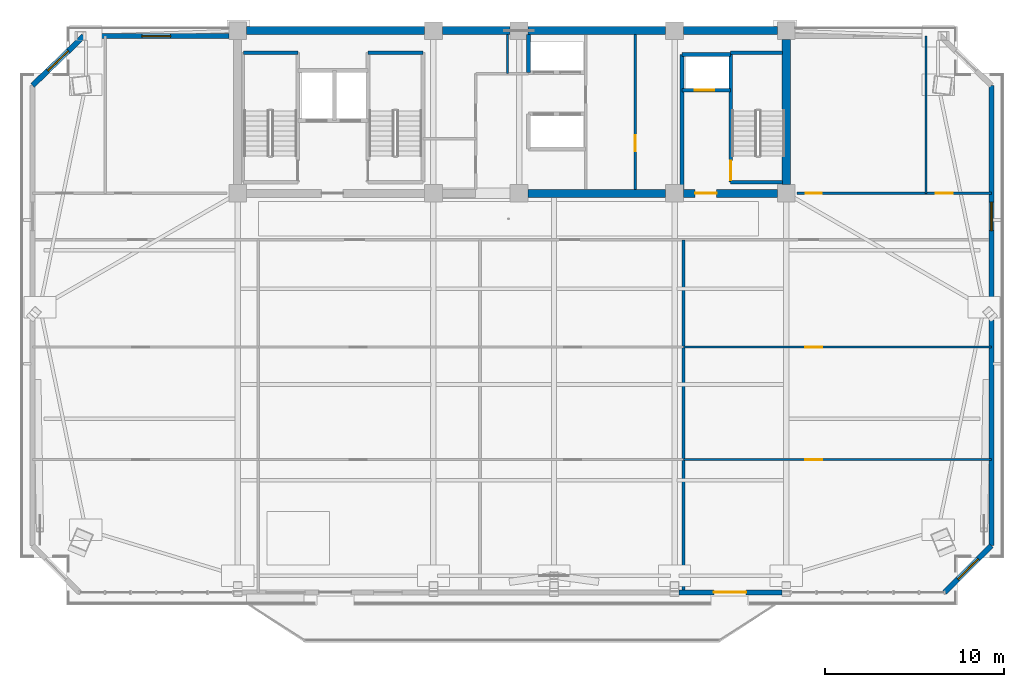
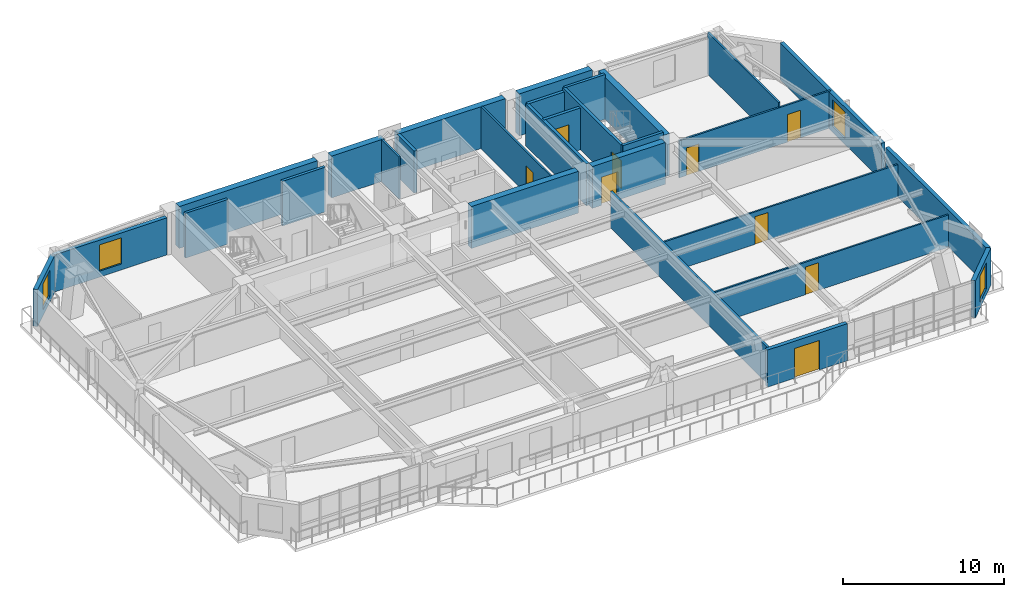
# One storey, part 10 of 16: 29 walls, 9 doors, 4 windows, 13 openings.
"""IFC4 building model written with IfcOpenShell, lengths in metres."""

from ifc_helpers import new_model, si_unit, direction, frame, frame_2d, origin, place, context, subcontext, project, spatial, rectangle, extrude, source, transform, mapped, material, layer, layer_set, type_object, element, fill, save


model = new_model("IFC4")

# Units and contexts
model_context = context("Model", 3, precision=1e-05, world=origin(), true_north=direction((0.0, 1.0)))
body_context = subcontext(model_context, "Body", "Model", "MODEL_VIEW")
ifc_project = project(units=[si_unit("LENGTHUNIT", "METRE"), si_unit("AREAUNIT", "SQUARE_METRE"), si_unit("VOLUMEUNIT", "CUBIC_METRE"), si_unit("PLANEANGLEUNIT", "RADIAN"), si_unit("MASSUNIT", "GRAM", prefix="KILO")], contexts=[model_context])

# Site, building, storey
site_placement = place(None, origin())
site = spatial("IfcSite", under=ifc_project, at=site_placement, CompositionType="ELEMENT")
building_placement = place(site_placement, origin())
building = spatial("IfcBuilding", under=site, at=building_placement, Name="Giltprow Tower", CompositionType="ELEMENT")
storey_placement = place(building_placement, frame((0.0, 0.0, 255.300048828125)))
storey = spatial("IfcBuildingStorey", under=building, at=storey_placement, Name="L65", CompositionType="ELEMENT", Elevation=255.300048828125)

# Wall, opening, window
ifc_material_1 = material(Name="Precast concrete C40", Category="concrete")
ifc_layer_1 = layer(ifc_material_1, 0.300048828125, Name="Precast concrete C40")
ifc_layer_set_1 = layer_set([ifc_layer_1], Name="Precast concrete C40")
wall_type_1 = type_object("IfcWallType", Name="EW-NOTCH-CHAMFER-300", PredefinedType="SOLIDWALL", material=ifc_layer_set_1)
wall_1_placement = place(storey_placement, frame((59.422119140625, 15.113037109375, 0.0), z_axis=(0.0, 0.0, 1.0), x_axis=(0.707106781187, 0.707106781187, 0.0)))
wall_1 = element("IfcWall", 1, at=wall_1_placement, inside=storey, type_object=wall_type_1, Name="L65 Corner Notch Wall SE", PredefinedType="SOLIDWALL", context=body_context, shape_type="SweptSolid", body=[
    extrude(rectangle(XDim=3.6982421875, YDim=0.300048828125, at=frame_2d((1.84912109375, 0.0))), origin(), (0.0, 0.0, 1.0), 2.81494140625),
])
opening_1_placement = place(wall_1_placement, frame((1.049072265625, 0.0, 0.449951171875)))
opening_1 = element("IfcOpeningElement", 2, at=opening_1_placement, cuts=wall_1, Name="Opening WN17", PredefinedType="OPENING", context=body_context, shape_type="SweptSolid", body=[
    extrude(rectangle(XDim=1.60009765625, YDim=2.0, at=frame_2d((0.800048828125, 1.0))), frame((0.0, 0.159912109375, 0.0), z_axis=(0.0, -1.0, 0.0), x_axis=(1.0, 0.0, 0.0)), (0.0, 0.0, 1.0), 0.320068359375),
])
ifc_material_2 = material(Name="Insulated glass", Category="glass")
window_type = type_object("IfcWindowType", Name="WN-COR-1600x2000", PartitioningType="SINGLE_PANEL", PredefinedType="WINDOW", material=ifc_material_2)
shared_shape_1 = source(origin(), body_context, "Body", "SweptSolid", [
    extrude(rectangle(XDim=1.60009765625, YDim=2.0, at=frame_2d((0.800048828125, 1.0))), frame((0.0, 0.030029296875, 0.0), z_axis=(0.0, -1.0, 0.0), x_axis=(1.0, 0.0, 0.0)), (0.0, 0.0, 1.0), 0.06005859375),
])
window_1_placement = place(opening_1_placement, origin())
window_1 = element("IfcWindow", 3, at=window_1_placement, inside=storey, type_object=window_type, Name="L65 Corner Notch Window SE", OverallHeight=2.0, OverallWidth=1.60009765625, PartitioningType="SINGLE_PANEL", PredefinedType="WINDOW", context=body_context, shape_type="MappedRepresentation", body=[
    mapped(shared_shape_1, transform((0.0, 0.0, 0.0), x_axis=(1.0, 0.0, 0.0), y_axis=(0.0, 1.0, 0.0), z_axis=(0.0, 0.0, 1.0), scale=1.0)),
])
fill(opening_1, window_1)

wall_2_placement = place(storey_placement, frame((11.22900390625, 46.25, 0.0), z_axis=(0.0, 0.0, 1.0), x_axis=(-0.719565206503, -0.694424879731, 0.0)))
wall_2 = element("IfcWall", 4, at=wall_2_placement, inside=storey, type_object=wall_type_1, Name="L65 Corner Notch Wall NW", PredefinedType="SOLIDWALL", context=body_context, shape_type="SweptSolid", body=[
    extrude(rectangle(XDim=3.9814453125, YDim=0.300048828125, at=frame_2d((1.99072265625, 0.0))), origin(), (0.0, 0.0, 1.0), 2.81494140625),
])
opening_2_placement = place(wall_2_placement, frame((1.19091796875, 0.0, 0.449951171875)))
opening_2 = element("IfcOpeningElement", 5, at=opening_2_placement, cuts=wall_2, Name="Opening WN17", PredefinedType="OPENING", context=body_context, shape_type="SweptSolid", body=[
    extrude(rectangle(XDim=1.60009765625, YDim=2.0, at=frame_2d((0.800048828125, 1.0))), frame((0.0, 0.159912109375, 0.0), z_axis=(0.0, -1.0, 0.0), x_axis=(1.0, 0.0, 0.0)), (0.0, 0.0, 1.0), 0.320068359375),
])
window_2_placement = place(opening_2_placement, origin())
window_2 = element("IfcWindow", 6, at=window_2_placement, inside=storey, type_object=window_type, Name="L65 Corner Notch Window NW", OverallHeight=2.0, OverallWidth=1.60009765625, PartitioningType="SINGLE_PANEL", PredefinedType="WINDOW", context=body_context, shape_type="MappedRepresentation", body=[
    mapped(shared_shape_1, transform((0.0, 0.0, 0.0), x_axis=(1.0, 0.0, 0.0), y_axis=(0.0, 1.0, 0.0), z_axis=(0.0, 0.0, 1.0), scale=1.0)),
])
fill(opening_2, window_2)

# Wall, opening, door
ifc_layer_2 = layer(ifc_material_1, 0.280029296875, Name="Precast concrete C40")
ifc_layer_set_2 = layer_set([ifc_layer_2], Name="Precast concrete C40")
wall_type_2 = type_object("IfcWallType", Name="EW-TOW-BRONZE-280", PredefinedType="SOLIDWALL", material=ifc_layer_set_2)
wall_3_placement = place(storey_placement, frame((44.550048828125, 15.113037109375, 0.0), z_axis=(0.0, 0.0, 1.0), x_axis=(1.0, 0.0, 0.0)))
wall_3 = element("IfcWall", 7, at=wall_3_placement, inside=storey, type_object=wall_type_2, Name="L65 South Expressed Frame Wall 5", PredefinedType="SOLIDWALL", context=body_context, shape_type="SweptSolid", body=[
    extrude(rectangle(XDim=5.75, YDim=0.280029296875, at=frame_2d((2.875, 0.0))), origin(), (0.0, 0.0, 1.0), 2.81494140625),
])
opening_3_placement = place(wall_3_placement, frame((1.949951171875, 0.0, 0.0)))
opening_3 = element("IfcOpeningElement", 8, at=opening_3_placement, cuts=wall_3, Name="Opening ED25", PredefinedType="OPENING", context=body_context, shape_type="SweptSolid", body=[
    extrude(rectangle(XDim=1.800048828125, YDim=2.25, at=frame_2d((0.89990234375, 1.125))), frame((0.0, 0.14990234375, 0.0), z_axis=(0.0, -1.0, 0.0), x_axis=(1.0, 0.0, 0.0)), (0.0, 0.0, 1.0), 0.300048828125),
])
ifc_material_3 = material(Name="Anodized bronze and glass", Category="glass")
door_type_1 = type_object("IfcDoorType", Name="DR-BALC-SLIDE-1800", OperationType="SLIDING_TO_LEFT", PredefinedType="DOOR", material=ifc_material_3)
shared_shape_2 = source(origin(), body_context, "Body", "SweptSolid", [
    extrude(rectangle(XDim=1.800048828125, YDim=2.25, at=frame_2d((0.89990234375, 1.125))), frame((0.0, 0.02490234375, 0.0), z_axis=(0.0, -1.0, 0.0), x_axis=(1.0, 0.0, 0.0)), (0.0, 0.0, 1.0), 0.050048828125),
])
door_1_placement = place(opening_3_placement, origin())
door_1 = element("IfcDoor", 9, at=door_1_placement, inside=storey, type_object=door_type_1, Name="L65 Waterfront Balcony Sliding Door 2", OperationType="SLIDING_TO_LEFT", OverallHeight=2.25, OverallWidth=1.800048828125, PredefinedType="DOOR", context=body_context, shape_type="MappedRepresentation", body=[
    mapped(shared_shape_2, transform((0.0, 0.0, 0.0), x_axis=(1.0, 0.0, 0.0), y_axis=(0.0, 1.0, 0.0), z_axis=(0.0, 0.0, 1.0), scale=1.0)),
])
fill(opening_3, door_1)

# Wall
wall_4_placement = place(storey_placement, frame((62.037109375, 17.72802734375, 0.0), z_axis=(0.0, 0.0, 1.0), x_axis=(0.0, 1.0, 0.0)))
element("IfcWall", 10, at=wall_4_placement, inside=storey, type_object=wall_type_2, Name="L65 E Wing Masonry Wall 1", PredefinedType="SOLIDWALL", context=body_context, shape_type="SweptSolid", body=[
    extrude(rectangle(XDim=12.62890625, YDim=0.280029296875, at=frame_2d((6.314453125, 0.0))), origin(), (0.0, 0.0, 1.0), 2.81494140625),
])

# Wall, opening, window
wall_5_placement = place(storey_placement, frame((62.037109375, 30.85693359375, 0.0), z_axis=(0.0, 0.0, 1.0), x_axis=(0.0, 1.0, 0.0)))
wall_5 = element("IfcWall", 11, at=wall_5_placement, inside=storey, type_object=wall_type_2, Name="L65 E Wing Masonry Wall 2", PredefinedType="SOLIDWALL", context=body_context, shape_type="SweptSolid", body=[
    extrude(rectangle(XDim=12.628173828125, YDim=0.280029296875, at=frame_2d((6.31396484375, 0.0))), origin(), (0.0, 0.0, 1.0), 2.81494140625),
])
opening_4_placement = place(wall_5_placement, frame((4.498046875, 0.0, 0.449951171875)))
opening_4 = element("IfcOpeningElement", 12, at=opening_4_placement, cuts=wall_5, Name="Opening WN17", PredefinedType="OPENING", context=body_context, shape_type="SweptSolid", body=[
    extrude(rectangle(XDim=1.60009765625, YDim=2.0, at=frame_2d((0.800048828125, 1.0))), frame((0.0, 0.14990234375, 0.0), z_axis=(0.0, -1.0, 0.0), x_axis=(1.0, 0.0, 0.0)), (0.0, 0.0, 1.0), 0.300048828125),
])
window_3_placement = place(opening_4_placement, origin())
window_3 = element("IfcWindow", 13, at=window_3_placement, inside=storey, type_object=window_type, Name="L65 E Wing Window 2-1", OverallHeight=2.0, OverallWidth=1.60009765625, PartitioningType="SINGLE_PANEL", PredefinedType="WINDOW", context=body_context, shape_type="MappedRepresentation", body=[
    mapped(shared_shape_1, transform((0.0, 0.0, 0.0), x_axis=(1.0, 0.0, 0.0), y_axis=(0.0, 1.0, 0.0), z_axis=(0.0, 0.0, 1.0), scale=1.0)),
])
fill(opening_4, window_3)

wall_6_placement = place(storey_placement, frame((11.22900390625, 46.25, 0.0), z_axis=(0.0, 0.0, 1.0), x_axis=(1.0, 0.0, 0.0)))
wall_6 = element("IfcWall", 14, at=wall_6_placement, inside=storey, type_object=wall_type_2, Name="L65 North-West Wing Wall", PredefinedType="SOLIDWALL", context=body_context, shape_type="SweptSolid", body=[
    extrude(rectangle(XDim=8.12109375, YDim=0.280029296875, at=frame_2d((4.060546875, 0.0))), origin(), (0.0, 0.0, 1.0), 2.81494140625),
])
opening_5_placement = place(wall_6_placement, frame((3.260986328125, 0.0, 0.449951171875)))
opening_5 = element("IfcOpeningElement", 15, at=opening_5_placement, cuts=wall_6, Name="Opening WN17", PredefinedType="OPENING", context=body_context, shape_type="SweptSolid", body=[
    extrude(rectangle(XDim=1.60009765625, YDim=2.0, at=frame_2d((0.800048828125, 1.0))), frame((0.0, 0.14990234375, 0.0), z_axis=(0.0, -1.0, 0.0), x_axis=(1.0, 0.0, 0.0)), (0.0, 0.0, 1.0), 0.300048828125),
])
window_4_placement = place(opening_5_placement, origin())
window_4 = element("IfcWindow", 16, at=window_4_placement, inside=storey, type_object=window_type, Name="L65 North-West Window", OverallHeight=2.0, OverallWidth=1.60009765625, PartitioningType="SINGLE_PANEL", PredefinedType="WINDOW", context=body_context, shape_type="MappedRepresentation", body=[
    mapped(shared_shape_1, transform((0.0, 0.0, 0.0), x_axis=(1.0, 0.0, 0.0), y_axis=(0.0, 1.0, 0.0), z_axis=(0.0, 0.0, 1.0), scale=1.0)),
])
fill(opening_5, window_4)

# Wall
ifc_material_4 = material(Name="Gypsum stud partition", Category="gypsum")
ifc_layer_3 = layer(ifc_material_4, 0.159912109375, Name="Gypsum stud partition")
ifc_layer_set_3 = layer_set([ifc_layer_3], Name="Gypsum stud partition")
wall_type_3 = type_object("IfcWallType", Name="IW-DEMISE-160", PredefinedType="PARTITIONING", material=ifc_layer_set_3)
wall_7_placement = place(storey_placement, frame((44.800048828125, 15.113037109375, 0.0), z_axis=(0.0, 0.0, 1.0), x_axis=(0.0, 1.0, 0.0)))
element("IfcWall", 17, at=wall_7_placement, inside=storey, type_object=wall_type_3, Name="L65 Apartment Party Wall 3", PredefinedType="PARTITIONING", context=body_context, shape_type="SweptSolid", body=[
    extrude(rectangle(XDim=19.737060546875, YDim=0.159912109375, at=frame_2d((9.86865234375, 0.0))), origin(), (0.0, 0.0, 1.0), 2.77001953125),
])

# Wall, opening, door
ifc_layer_4 = layer(ifc_material_4, 0.1201171875, Name="Gypsum stud partition")
ifc_layer_set_4 = layer_set([ifc_layer_4], Name="Gypsum stud partition")
wall_type_4 = type_object("IfcWallType", Name="IW-ROOM-120", PredefinedType="PARTITIONING", material=ifc_layer_set_4)
wall_8_placement = place(storey_placement, frame((44.800048828125, 22.5439453125, 0.0), z_axis=(0.0, 0.0, 1.0), x_axis=(1.0, 0.0, 0.0)))
wall_8 = element("IfcWall", 18, at=wall_8_placement, inside=storey, type_object=wall_type_4, Name="L65 Special Split 1", PredefinedType="PARTITIONING", context=body_context, shape_type="SweptSolid", body=[
    extrude(rectangle(XDim=17.237060546875, YDim=0.1201171875, at=frame_2d((8.61865234375, 0.0))), origin(), (0.0, 0.0, 1.0), 2.469970703125),
])
opening_6_placement = place(wall_8_placement, frame((6.81494140625, 0.0, 0.0)))
opening_6 = element("IfcOpeningElement", 19, at=opening_6_placement, cuts=wall_8, Name="Opening ID11", PredefinedType="OPENING", context=body_context, shape_type="SweptSolid", body=[
    extrude(rectangle(XDim=0.949951171875, YDim=2.10009765625, at=frame_2d((0.47509765625, 1.050048828125))), frame((0.0, 0.070068359375, 0.0), z_axis=(0.0, -1.0, 0.0), x_axis=(1.0, 0.0, 0.0)), (0.0, 0.0, 1.0), 0.14013671875),
])
ifc_material_5 = material(Name="Engineered timber", Category="wood")
door_type_2 = type_object("IfcDoorType", Name="DR-ROOM-950", OperationType="SINGLE_SWING_RIGHT", PredefinedType="DOOR", material=ifc_material_5)
shared_shape_3 = source(origin(), body_context, "Body", "SweptSolid", [
    extrude(rectangle(XDim=0.949951171875, YDim=2.10009765625, at=frame_2d((0.47509765625, 1.050048828125))), frame((0.0, 0.02490234375, 0.0), z_axis=(0.0, -1.0, 0.0), x_axis=(1.0, 0.0, 0.0)), (0.0, 0.0, 1.0), 0.050048828125),
])
door_2_placement = place(opening_6_placement, origin())
door_2 = element("IfcDoor", 20, at=door_2_placement, inside=storey, type_object=door_type_2, Name="L65 Artisan Bakery Shop 2 South Door", OperationType="SINGLE_SWING_RIGHT", OverallHeight=2.10009765625, OverallWidth=0.949951171875, PredefinedType="DOOR", context=body_context, shape_type="MappedRepresentation", body=[
    mapped(shared_shape_3, transform((0.0, 0.0, 0.0), x_axis=(1.0, 0.0, 0.0), y_axis=(0.0, 1.0, 0.0), z_axis=(0.0, 0.0, 1.0), scale=1.0)),
])
fill(opening_6, door_2)

wall_9_placement = place(storey_placement, frame((44.800048828125, 28.842041015625, 0.0), z_axis=(0.0, 0.0, 1.0), x_axis=(1.0, 0.0, 0.0)))
wall_9 = element("IfcWall", 21, at=wall_9_placement, inside=storey, type_object=wall_type_4, Name="L65 Special Split 2", PredefinedType="PARTITIONING", context=body_context, shape_type="SweptSolid", body=[
    extrude(rectangle(XDim=17.237060546875, YDim=0.1201171875, at=frame_2d((8.61865234375, 0.0))), origin(), (0.0, 0.0, 1.0), 2.469970703125),
])
opening_7_placement = place(wall_9_placement, frame((6.81494140625, 0.0, 0.0)))
opening_7 = element("IfcOpeningElement", 22, at=opening_7_placement, cuts=wall_9, Name="Opening ID11", PredefinedType="OPENING", context=body_context, shape_type="SweptSolid", body=[
    extrude(rectangle(XDim=0.949951171875, YDim=2.10009765625, at=frame_2d((0.47509765625, 1.050048828125))), frame((0.0, 0.070068359375, 0.0), z_axis=(0.0, -1.0, 0.0), x_axis=(1.0, 0.0, 0.0)), (0.0, 0.0, 1.0), 0.14013671875),
])
door_3_placement = place(opening_7_placement, origin())
door_3 = element("IfcDoor", 23, at=door_3_placement, inside=storey, type_object=door_type_2, Name="L65 Artisan Bakery Shop 2 Mid Door", OperationType="SINGLE_SWING_LEFT", OverallHeight=2.10009765625, OverallWidth=0.949951171875, PredefinedType="DOOR", context=body_context, shape_type="MappedRepresentation", body=[
    mapped(shared_shape_3, transform((0.0, 0.0, 0.0), x_axis=(1.0, 0.0, 0.0), y_axis=(0.0, 1.0, 0.0), z_axis=(0.0, 0.0, 1.0), scale=1.0)),
])
fill(opening_7, door_3)

ifc_material_6 = material(Name="Concrete C40", Category="concrete")
ifc_layer_5 = layer(ifc_material_6, 0.219970703125, Name="Concrete C40")
ifc_layer_set_5 = layer_set([ifc_layer_5], Name="Concrete C40")
wall_type_5 = type_object("IfcWallType", Name="IW-SHAFT-220", PredefinedType="SOLIDWALL", material=ifc_layer_set_5)
wall_10_placement = place(storey_placement, frame((44.719970703125, 43.219970703125, 0.0), z_axis=(0.0, 0.0, 1.0), x_axis=(1.0, 0.0, 0.0)))
wall_10 = element("IfcWall", 24, at=wall_10_placement, inside=storey, type_object=wall_type_5, Name="L65 FFL2 Front Shaft Wall", PredefinedType="SOLIDWALL", context=body_context, shape_type="SweptSolid", body=[
    extrude(rectangle(XDim=2.719970703125, YDim=0.219970703125, at=frame_2d((1.35986328125, 0.0))), origin(), (0.0, 0.0, 1.0), 3.18505859375),
])
opening_8_placement = place(wall_10_placement, frame((0.699951171875, 0.0, 0.0)))
opening_8 = element("IfcOpeningElement", 25, at=opening_8_placement, cuts=wall_10, Name="Opening LD-11", PredefinedType="OPENING", context=body_context, shape_type="SweptSolid", body=[
    extrude(rectangle(XDim=1.10009765625, YDim=2.199951171875, at=frame_2d((0.550048828125, 1.10009765625))), frame((0.0, 0.119873046875, 0.0), z_axis=(0.0, -1.0, 0.0), x_axis=(1.0, 0.0, 0.0)), (0.0, 0.0, 1.0), 0.239990234375),
])
ifc_material_7 = material(Name="Stainless steel", Category="steel")
door_type_3 = type_object("IfcDoorType", Name="DR-LIFT-LD1100", OperationType="SLIDING_TO_LEFT", PredefinedType="DOOR", material=ifc_material_7)
shared_shape_4 = source(origin(), body_context, "Body", "SweptSolid", [
    extrude(rectangle(XDim=1.10009765625, YDim=2.199951171875, at=frame_2d((0.550048828125, 1.10009765625))), frame((0.0, 0.02490234375, 0.0), z_axis=(0.0, -1.0, 0.0), x_axis=(1.0, 0.0, 0.0)), (0.0, 0.0, 1.0), 0.050048828125),
])
door_4_placement = place(opening_8_placement, origin())
door_4 = element("IfcDoor", 26, at=door_4_placement, inside=storey, type_object=door_type_3, Name="L65 FFL2 Landing Door", OperationType="SLIDING_TO_LEFT", OverallHeight=2.199951171875, OverallWidth=1.10009765625, PredefinedType="DOOR", context=body_context, shape_type="MappedRepresentation", body=[
    mapped(shared_shape_4, transform((0.0, 0.0, 0.0), x_axis=(1.0, 0.0, 0.0), y_axis=(0.0, 1.0, 0.0), z_axis=(0.0, 0.0, 1.0), scale=1.0)),
])
fill(opening_8, door_4)

# Walls
wall_11_placement = place(storey_placement, frame((44.719970703125, 45.219970703125, 0.0), z_axis=(0.0, 0.0, 1.0), x_axis=(1.0, 0.0, 0.0)))
element("IfcWall", 27, at=wall_11_placement, inside=storey, type_object=wall_type_5, Name="L65 FFL2 Back Shaft Wall", PredefinedType="SOLIDWALL", context=body_context, shape_type="SweptSolid", body=[
    extrude(rectangle(XDim=2.719970703125, YDim=0.219970703125, at=frame_2d((1.35986328125, 0.0))), origin(), (0.0, 0.0, 1.0), 3.18505859375),
])
wall_12_placement = place(storey_placement, frame((44.719970703125, 37.655029296875, 0.0), z_axis=(0.0, 0.0, 1.0), x_axis=(0.0, 1.0, 0.0)))
element("IfcWall", 28, at=wall_12_placement, inside=storey, type_object=wall_type_5, Name="L65 East Firefighting Lobby West Wall", PredefinedType="SOLIDWALL", context=body_context, shape_type="SweptSolid", body=[
    extrude(rectangle(XDim=7.56494140625, YDim=0.219970703125, at=frame_2d((3.782470703125, 0.0))), origin(), (0.0, 0.0, 1.0), 3.18505859375),
])
wall_13_placement = place(storey_placement, frame((36.1201171875, 44.219970703125, 0.0), z_axis=(0.0, 0.0, 1.0), x_axis=(0.0, 1.0, 0.0)))
element("IfcWall", 29, at=wall_13_placement, inside=storey, type_object=wall_type_5, Name="L65 High-Rise North Lift West Closure", PredefinedType="SOLIDWALL", context=body_context, shape_type="SweptSolid", body=[
    extrude(rectangle(XDim=2.125, YDim=0.219970703125, at=frame_2d((1.0625, 0.0))), origin(), (0.0, 0.0, 1.0), 3.18505859375),
])
ifc_layer_6 = layer(ifc_material_6, 0.199951171875, Name="Concrete C40")
ifc_layer_set_6 = layer_set([ifc_layer_6], Name="Concrete C40")
wall_type_6 = type_object("IfcWallType", Name="IW-STAIR-200", PredefinedType="SOLIDWALL", material=ifc_layer_set_6)
wall_14_placement = place(storey_placement, frame((20.169921875, 45.320068359375, 0.0), z_axis=(0.0, 0.0, 1.0), x_axis=(1.0, 0.0, 0.0)))
element("IfcWall", 30, at=wall_14_placement, inside=storey, type_object=wall_type_6, Name="L65 Stair ST-1 North Bearing Wall", PredefinedType="SOLIDWALL", context=body_context, shape_type="SweptSolid", body=[
    extrude(rectangle(XDim=3.050048828125, YDim=0.199951171875, at=frame_2d((1.52490234375, 0.0))), origin(), (0.0, 0.0, 1.0), 3.39990234375),
])
wall_15_placement = place(storey_placement, frame((27.139892578125, 45.320068359375, 0.0), z_axis=(0.0, 0.0, 1.0), x_axis=(1.0, 0.0, 0.0)))
element("IfcWall", 31, at=wall_15_placement, inside=storey, type_object=wall_type_6, Name="L65 Stair ST-2 North Bearing Wall", PredefinedType="SOLIDWALL", context=body_context, shape_type="SweptSolid", body=[
    extrude(rectangle(XDim=3.080078125, YDim=0.199951171875, at=frame_2d((1.5400390625, 0.0))), origin(), (0.0, 0.0, 1.0), 3.39990234375),
])

# Wall, opening, door
wall_16_placement = place(storey_placement, frame((47.43994140625, 38.070068359375, 0.0), z_axis=(0.0, 0.0, 1.0), x_axis=(0.0, 1.0, 0.0)))
wall_16 = element("IfcWall", 32, at=wall_16_placement, inside=storey, type_object=wall_type_6, Name="L65 Stair ST-3 West Bearing Wall", PredefinedType="SOLIDWALL", context=body_context, shape_type="SweptSolid", body=[
    extrude(rectangle(XDim=7.25, YDim=0.199951171875, at=frame_2d((3.625, 0.0))), origin(), (0.0, 0.0, 1.0), 3.39990234375),
])
opening_9_placement = place(wall_16_placement, frame((0.110107421875, 0.0, 0.0)))
opening_9 = element("IfcOpeningElement", 33, at=opening_9_placement, cuts=wall_16, Name="Opening ID33", PredefinedType="OPENING", context=body_context, shape_type="SweptSolid", body=[
    extrude(rectangle(XDim=1.10009765625, YDim=2.14990234375, at=frame_2d((0.550048828125, 1.074951171875))), frame((0.0, 0.10986328125, 0.0), z_axis=(0.0, -1.0, 0.0), x_axis=(1.0, 0.0, 0.0)), (0.0, 0.0, 1.0), 0.219970703125),
])
ifc_material_8 = material(Name="Steel fire leaf", Category="steel")
door_type_4 = type_object("IfcDoorType", Name="DR-STAIR-1100", OperationType="SINGLE_SWING_LEFT", PredefinedType="DOOR", material=ifc_material_8)
shared_shape_5 = source(origin(), body_context, "Body", "SweptSolid", [
    extrude(rectangle(XDim=1.10009765625, YDim=2.14990234375, at=frame_2d((0.550048828125, 1.074951171875))), frame((0.0, 0.02490234375, 0.0), z_axis=(0.0, -1.0, 0.0), x_axis=(1.0, 0.0, 0.0)), (0.0, 0.0, 1.0), 0.050048828125),
])
door_5_placement = place(opening_9_placement, origin())
door_5 = element("IfcDoor", 34, at=door_5_placement, inside=storey, type_object=door_type_4, Name="L65 Stair ST-3 Fire Door", OperationType="SINGLE_SWING_RIGHT", OverallHeight=2.14990234375, OverallWidth=1.10009765625, PredefinedType="DOOR", context=body_context, shape_type="MappedRepresentation", body=[
    mapped(shared_shape_5, transform((0.0, 0.0, 0.0), x_axis=(1.0, 0.0, 0.0), y_axis=(0.0, 1.0, 0.0), z_axis=(0.0, 0.0, 1.0), scale=1.0)),
])
fill(opening_9, door_5)

# Walls
for number, where, z_axis, x_axis, name in (
    (35, (47.43994140625, 45.320068359375, 0.0), (0.0, 0.0, 1.0), (1.0, 0.0, 0.0), "L65 Stair ST-3 North Bearing Wall"),
    (36, (47.43994140625, 38.070068359375, 0.0), (0.0, 0.0, 1.0), (1.0, 0.0, 0.0), "L65 Stair ST-3 South Bearing Wall"),
):
    element("IfcWall", number, at=place(storey_placement, frame(where, z_axis=z_axis, x_axis=x_axis)), inside=storey, type_object=wall_type_6, Name=name, PredefinedType="SOLIDWALL", context=body_context, shape_type="SweptSolid", body=[
        extrude(rectangle(XDim=2.905029296875, YDim=0.199951171875, at=frame_2d((1.45263671875, 0.0))), origin(), (0.0, 0.0, 1.0), 3.39990234375),
    ])
ifc_material_9 = material(Name="Concrete C30", Category="concrete")
ifc_layer_7 = layer(ifc_material_9, 0.1298828125, Name="Concrete C30")
ifc_layer_set_7 = layer_set([ifc_layer_7], Name="Concrete C30")
wall_type_7 = type_object("IfcWallType", Name="IW-WET-130", PredefinedType="PARTITIONING", material=ifc_layer_set_7)
wall_17_placement = place(storey_placement, frame((34.949951171875, 44.14990234375, 0.0), z_axis=(0.0, 0.0, 1.0), x_axis=(0.0, 1.0, 0.0)))
element("IfcWall", 37, at=wall_17_placement, inside=storey, type_object=wall_type_7, Name="L65 Reclaimed West Pocket Wall E", PredefinedType="PARTITIONING", context=body_context, shape_type="SweptSolid", body=[
    extrude(rectangle(XDim=2.195068359375, YDim=0.1298828125, at=frame_2d((1.09765625, 0.0))), origin(), (0.0, 0.0, 1.0), 3.18505859375),
])

# Wall, opening, door
wall_18_placement = place(storey_placement, frame((42.10009765625, 37.655029296875, 0.0), z_axis=(0.0, 0.0, 1.0), x_axis=(0.0, 1.0, 0.0)))
wall_18 = element("IfcWall", 38, at=wall_18_placement, inside=storey, type_object=wall_type_7, Name="L65 East Core Vertical Divider", PredefinedType="PARTITIONING", context=body_context, shape_type="SweptSolid", body=[
    extrude(rectangle(XDim=8.68994140625, YDim=0.1298828125, at=frame_2d((4.344970703125, 0.0))), origin(), (0.0, 0.0, 1.0), 3.18505859375),
])
opening_10_placement = place(wall_18_placement, frame((2.14501953125, 0.0, 0.0)))
opening_10 = element("IfcOpeningElement", 39, at=opening_10_placement, cuts=wall_18, Name="Opening ID35", PredefinedType="OPENING", context=body_context, shape_type="SweptSolid", body=[
    extrude(rectangle(XDim=0.89990234375, YDim=2.10009765625, at=frame_2d((0.449951171875, 1.050048828125))), frame((0.0, 0.074951171875, 0.0), z_axis=(0.0, -1.0, 0.0), x_axis=(1.0, 0.0, 0.0)), (0.0, 0.0, 1.0), 0.14990234375),
])
door_type_5 = type_object("IfcDoorType", Name="DR-SHAFT-900", OperationType="SINGLE_SWING_LEFT", PredefinedType="DOOR", material=ifc_material_8)
shared_shape_6 = source(origin(), body_context, "Body", "SweptSolid", [
    extrude(rectangle(XDim=0.89990234375, YDim=2.10009765625, at=frame_2d((0.449951171875, 1.050048828125))), frame((0.0, 0.02490234375, 0.0), z_axis=(0.0, -1.0, 0.0), x_axis=(1.0, 0.0, 0.0)), (0.0, 0.0, 1.0), 0.050048828125),
])
door_6_placement = place(opening_10_placement, origin())
door_6 = element("IfcDoor", 40, at=door_6_placement, inside=storey, type_object=door_type_5, Name="L65 Core Wine Store Inner Door", OperationType="SINGLE_SWING_RIGHT", OverallHeight=2.10009765625, OverallWidth=0.89990234375, PredefinedType="DOOR", context=body_context, shape_type="MappedRepresentation", body=[
    mapped(shared_shape_6, transform((0.0, 0.0, 0.0), x_axis=(1.0, 0.0, 0.0), y_axis=(0.0, 1.0, 0.0), z_axis=(0.0, 0.0, 1.0), scale=1.0)),
])
fill(opening_10, door_6)

# Wall, openings, doors
wall_19_placement = place(storey_placement, frame((51.14990234375, 37.449951171875, 0.0), z_axis=(0.0, 0.0, 1.0), x_axis=(1.0, 0.0, 0.0)))
wall_19 = element("IfcWall", 41, at=wall_19_placement, inside=storey, type_object=wall_type_7, Name="L65 NE Wing South Wall", PredefinedType="PARTITIONING", context=body_context, shape_type="SweptSolid", body=[
    extrude(rectangle(XDim=10.88720703125, YDim=0.1298828125, at=frame_2d((5.443603515625, 0.0))), origin(), (0.0, 0.0, 1.0), 2.820068359375),
])
opening_11_placement = place(wall_19_placement, frame((0.5, 0.0, 0.0)))
opening_11 = element("IfcOpeningElement", 42, at=opening_11_placement, cuts=wall_19, Name="Opening ID15", PredefinedType="OPENING", context=body_context, shape_type="SweptSolid", body=[
    extrude(rectangle(XDim=0.89990234375, YDim=2.10009765625, at=frame_2d((0.449951171875, 1.050048828125))), frame((0.0, 0.074951171875, 0.0), z_axis=(0.0, -1.0, 0.0), x_axis=(1.0, 0.0, 0.0)), (0.0, 0.0, 1.0), 0.14990234375),
])
opening_12_placement = place(wall_19_placement, frame((7.77001953125, 0.0, 0.0)))
opening_12 = element("IfcOpeningElement", 43, at=opening_12_placement, cuts=wall_19, Name="Opening ID11", PredefinedType="OPENING", context=body_context, shape_type="SweptSolid", body=[
    extrude(rectangle(XDim=0.949951171875, YDim=2.10009765625, at=frame_2d((0.47509765625, 1.050048828125))), frame((0.0, 0.074951171875, 0.0), z_axis=(0.0, -1.0, 0.0), x_axis=(1.0, 0.0, 0.0)), (0.0, 0.0, 1.0), 0.14990234375),
])
door_type_6 = type_object("IfcDoorType", Name="DR-WC-900", OperationType="SINGLE_SWING_LEFT", PredefinedType="DOOR", material=ifc_material_5)
door_7_placement = place(opening_11_placement, origin())
door_7 = element("IfcDoor", 44, at=door_7_placement, inside=storey, type_object=door_type_6, Name="L65 East Wing Washroom Door", OperationType="SINGLE_SWING_RIGHT", OverallHeight=2.10009765625, OverallWidth=0.89990234375, PredefinedType="DOOR", context=body_context, shape_type="MappedRepresentation", body=[
    mapped(shared_shape_6, transform((0.0, 0.0, 0.0), x_axis=(1.0, 0.0, 0.0), y_axis=(0.0, 1.0, 0.0), z_axis=(0.0, 0.0, 1.0), scale=1.0)),
])
fill(opening_11, door_7)
door_8_placement = place(opening_12_placement, origin())
door_8 = element("IfcDoor", 45, at=door_8_placement, inside=storey, type_object=door_type_2, Name="L65 Residents Reading Lounge Door", OperationType="SINGLE_SWING_RIGHT", OverallHeight=2.10009765625, OverallWidth=0.949951171875, PredefinedType="DOOR", context=body_context, shape_type="MappedRepresentation", body=[
    mapped(shared_shape_3, transform((0.0, 0.0, 0.0), x_axis=(1.0, 0.0, 0.0), y_axis=(0.0, 1.0, 0.0), z_axis=(0.0, 0.0, 1.0), scale=1.0)),
])
fill(opening_12, door_8)

# Walls
wall_20_placement = place(storey_placement, frame((58.3701171875, 37.449951171875, 0.0), z_axis=(0.0, 0.0, 1.0), x_axis=(0.0, 1.0, 0.0)))
element("IfcWall", 46, at=wall_20_placement, inside=storey, type_object=wall_type_7, Name="L65 NE Wing Divider", PredefinedType="PARTITIONING", context=body_context, shape_type="SweptSolid", body=[
    extrude(rectangle(XDim=8.800048828125, YDim=0.1298828125, at=frame_2d((4.39990234375, 0.0))), origin(), (0.0, 0.0, 1.0), 3.18505859375),
])
ifc_material_10 = material(Name="Concrete C50", Category="concrete")
ifc_layer_8 = layer(ifc_material_10, 0.449951171875, Name="Concrete C50")
ifc_layer_set_8 = layer_set([ifc_layer_8], Name="Concrete C50")
wall_type_8 = type_object("IfcWallType", Name="SW-EXT-450-C50", PredefinedType="SHEAR", material=ifc_layer_set_8)
wall_21_placement = place(storey_placement, frame((20.35009765625, 46.550048828125, 0.0), z_axis=(0.0, 0.0, 1.0), x_axis=(1.0, 0.0, 0.0)))
element("IfcWall", 47, at=wall_21_placement, inside=storey, type_object=wall_type_8, Name="L65 North Rear Core Shear Wall 1", PredefinedType="SHEAR", context=body_context, shape_type="SweptSolid", body=[
    extrude(rectangle(XDim=9.949951171875, YDim=0.449951171875, at=frame_2d((4.97509765625, 0.0))), origin(), (0.0, 0.0, 1.0), 3.18505859375),
])
wall_22_placement = place(storey_placement, frame((31.300048828125, 46.550048828125, 0.0), z_axis=(0.0, 0.0, 1.0), x_axis=(1.0, 0.0, 0.0)))
element("IfcWall", 48, at=wall_22_placement, inside=storey, type_object=wall_type_8, Name="L65 North Rear Core Shear Wall 2", PredefinedType="SHEAR", context=body_context, shape_type="SweptSolid", body=[
    extrude(rectangle(XDim=3.800048828125, YDim=0.449951171875, at=frame_2d((1.89990234375, 0.0))), origin(), (0.0, 0.0, 1.0), 3.18505859375),
])
wall_23_placement = place(storey_placement, frame((36.10009765625, 46.550048828125, 0.0), z_axis=(0.0, 0.0, 1.0), x_axis=(1.0, 0.0, 0.0)))
element("IfcWall", 49, at=wall_23_placement, inside=storey, type_object=wall_type_8, Name="L65 North Rear Core Shear Wall 3", PredefinedType="SHEAR", context=body_context, shape_type="SweptSolid", body=[
    extrude(rectangle(XDim=7.699951171875, YDim=0.449951171875, at=frame_2d((3.85009765625, 0.0))), origin(), (0.0, 0.0, 1.0), 3.18505859375),
])
wall_24_placement = place(storey_placement, frame((44.800048828125, 46.550048828125, 0.0), z_axis=(0.0, 0.0, 1.0), x_axis=(1.0, 0.0, 0.0)))
element("IfcWall", 50, at=wall_24_placement, inside=storey, type_object=wall_type_8, Name="L65 North Rear Core Shear Wall 4", PredefinedType="SHEAR", context=body_context, shape_type="SweptSolid", body=[
    extrude(rectangle(XDim=5.25, YDim=0.449951171875, at=frame_2d((2.625, 0.0))), origin(), (0.0, 0.0, 1.0), 3.18505859375),
])
ifc_layer_9 = layer(ifc_material_10, 0.449951171875, Name="Concrete C50")
ifc_layer_set_9 = layer_set([ifc_layer_9], Name="Concrete C50")
wall_type_9 = type_object("IfcWallType", Name="SW-INT-450-C50", PredefinedType="SHEAR", material=ifc_layer_set_9)
wall_25_placement = place(storey_placement, frame((36.10009765625, 37.449951171875, 0.0), z_axis=(0.0, 0.0, 1.0), x_axis=(1.0, 0.0, 0.0)))
element("IfcWall", 51, at=wall_25_placement, inside=storey, type_object=wall_type_9, Name="L65 South Rear Core Shear Wall Mid-East", PredefinedType="SHEAR", context=body_context, shape_type="SweptSolid", body=[
    extrude(rectangle(XDim=7.699951171875, YDim=0.449951171875, at=frame_2d((3.85009765625, 0.0))), origin(), (0.0, 0.0, 1.0), 3.18505859375),
])

# Wall, opening, door
wall_26_placement = place(storey_placement, frame((44.800048828125, 37.449951171875, 0.0), z_axis=(0.0, 0.0, 1.0), x_axis=(1.0, 0.0, 0.0)))
wall_26 = element("IfcWall", 52, at=wall_26_placement, inside=storey, type_object=wall_type_9, Name="L65 South Rear Core Shear Wall East", PredefinedType="SHEAR", context=body_context, shape_type="SweptSolid", body=[
    extrude(rectangle(XDim=5.25, YDim=0.449951171875, at=frame_2d((2.625, 0.0))), origin(), (0.0, 0.0, 1.0), 3.18505859375),
])
opening_13_placement = place(wall_26_placement, frame((0.64990234375, 0.0, 0.0)))
opening_13 = element("IfcOpeningElement", 53, at=opening_13_placement, cuts=wall_26, Name="Opening ID19", PredefinedType="OPENING", context=body_context, shape_type="SweptSolid", body=[
    extrude(rectangle(XDim=1.199951171875, YDim=2.14990234375, at=frame_2d((0.60009765625, 1.074951171875))), frame((0.0, 0.23486328125, 0.0), z_axis=(0.0, -1.0, 0.0), x_axis=(1.0, 0.0, 0.0)), (0.0, 0.0, 1.0), 0.469970703125),
])
door_type_7 = type_object("IfcDoorType", Name="DR-FFLOBBY-1200", OperationType="SINGLE_SWING_RIGHT", PredefinedType="DOOR", material=ifc_material_8)
shared_shape_7 = source(origin(), body_context, "Body", "SweptSolid", [
    extrude(rectangle(XDim=1.199951171875, YDim=2.14990234375, at=frame_2d((0.60009765625, 1.074951171875))), frame((0.0, 0.02490234375, 0.0), z_axis=(0.0, -1.0, 0.0), x_axis=(1.0, 0.0, 0.0)), (0.0, 0.0, 1.0), 0.050048828125),
])
door_9_placement = place(opening_13_placement, origin())
door_9 = element("IfcDoor", 54, at=door_9_placement, inside=storey, type_object=door_type_7, Name="L65 East Firefighting Lobby Entry Door", OperationType="SINGLE_SWING_RIGHT", OverallHeight=2.14990234375, OverallWidth=1.199951171875, PredefinedType="DOOR", context=body_context, shape_type="MappedRepresentation", body=[
    mapped(shared_shape_7, transform((0.0, 0.0, 0.0), x_axis=(1.0, 0.0, 0.0), y_axis=(0.0, 1.0, 0.0), z_axis=(0.0, 0.0, 1.0), scale=1.0)),
])
fill(opening_13, door_9)

# Wall
wall_27_placement = place(storey_placement, frame((50.550048828125, 37.949951171875, 0.0), z_axis=(0.0, 0.0, 1.0), x_axis=(0.0, 1.0, 0.0)))
element("IfcWall", 55, at=wall_27_placement, inside=storey, type_object=wall_type_9, Name="L65 E Rear Core Shear Wall", PredefinedType="SHEAR", context=body_context, shape_type="SweptSolid", body=[
    extrude(rectangle(XDim=8.10009765625, YDim=0.449951171875, at=frame_2d((4.050048828125, 0.0))), origin(), (0.0, 0.0, 1.0), 3.18505859375),
])

save(model, "model.ifc")
